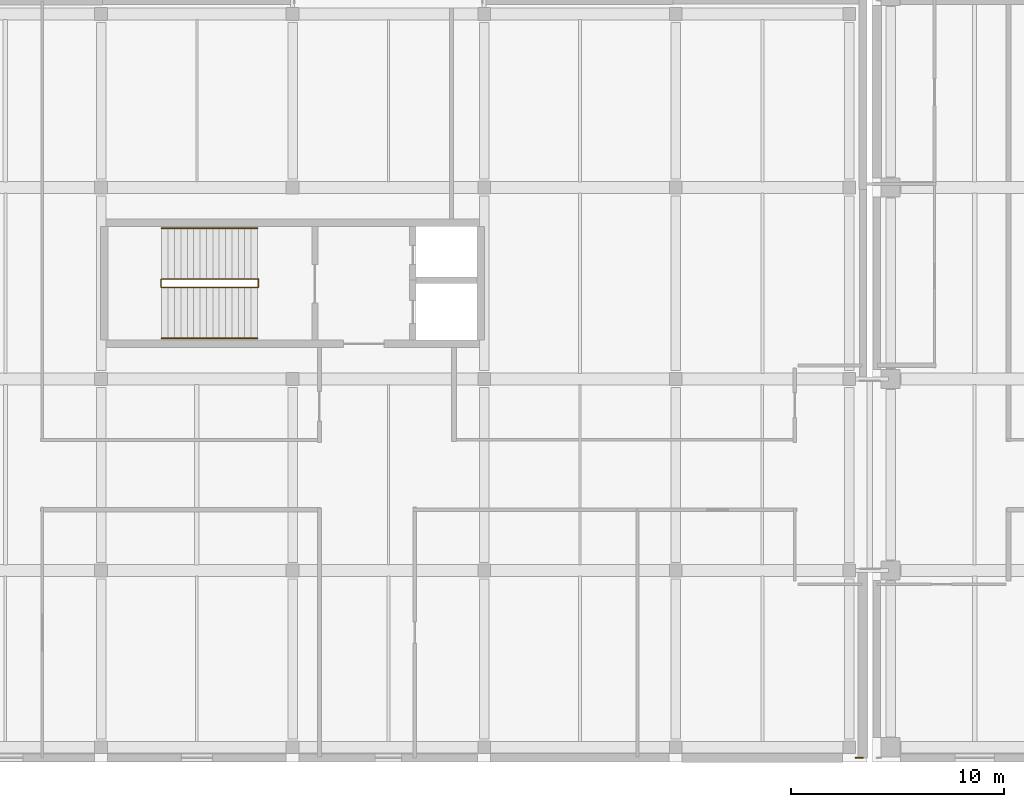
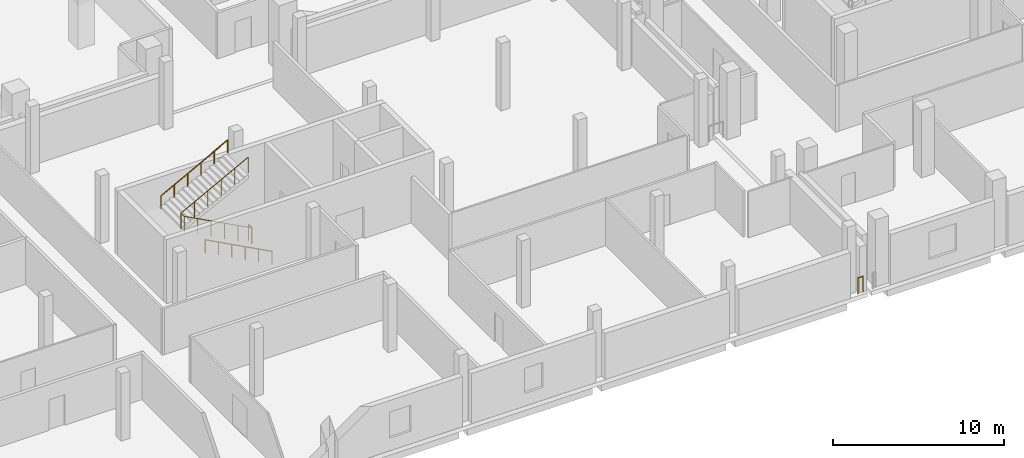
# One storey, part 75 of 100: 5 railings.
"""IFC4 building model written with IfcOpenShell, lengths in metres."""

from ifc_helpers import new_model, si_unit, direction, frame, origin, origin_2d, place, context, subcontext, project, spatial, circle, extrude, material, type_object, element, save


model = new_model("IFC4")

# Units and contexts
model_context = context("Model", 3, precision=1e-05, world=origin(), true_north=direction((0.0, 1.0)))
body_context = subcontext(model_context, "Body", "Model", "MODEL_VIEW")
ifc_project = project(units=[si_unit("LENGTHUNIT", "METRE"), si_unit("AREAUNIT", "SQUARE_METRE"), si_unit("VOLUMEUNIT", "CUBIC_METRE"), si_unit("PLANEANGLEUNIT", "RADIAN"), si_unit("MASSUNIT", "GRAM", prefix="KILO"), si_unit("THERMODYNAMICTEMPERATUREUNIT", "KELVIN"), si_unit("POWERUNIT", "WATT")], contexts=[model_context])

# Site, building, storey
site_placement = place(None, origin())
site = spatial("IfcSite", under=ifc_project, at=site_placement, CompositionType="ELEMENT")
building_placement = place(site_placement, origin())
building = spatial("IfcBuilding", under=site, at=building_placement, Name="Sindhuravela Promenade Stadium", CompositionType="ELEMENT")
storey_placement = place(building_placement, frame((0.0, 0.0, 4.800048828125)))
storey = spatial("IfcBuildingStorey", under=building, at=storey_placement, Name="L01", CompositionType="ELEMENT", Elevation=4.800048828125)

# Railings
ifc_material = material(Name="Architectural wrought steel E350", Category="steel")
railing_type_1 = type_object("IfcRailingType", Name="RL-GRD-1150", PredefinedType="GUARDRAIL", material=ifc_material)
railing_1_placement = place(storey_placement, frame((53.800048828125, 0.199951171875, 0.0)))
element("IfcRailing", 1, at=railing_1_placement, inside=storey, type_object=railing_type_1, Name="Perimeter edge return guard Pavilion SW L01", PredefinedType="GUARDRAIL", context=body_context, shape_type="SweptSolid", body=[
    extrude(circle(Radius=0.02392578125, at=origin_2d()), frame((0.0, 0.0, 1.1259765625), z_axis=(-1.0, 0.0, 0.0), x_axis=(0.0, -1.0, 0.0)), (0.0, 0.0, 1.0), 0.344970703125),
    extrude(circle(Radius=0.02099609375, at=origin_2d()), origin(), (0.0, 0.0, 1.0), 1.101806640625),
    extrude(circle(Radius=0.02099609375, at=origin_2d()), frame((-0.344970703125, 0.0, 0.0)), (0.0, 0.0, 1.0), 1.101806640625),
])
railing_2_placement = place(storey_placement, frame((25.35009765625, 22.31005859375, 0.0)))
element("IfcRailing", 2, at=railing_2_placement, inside=storey, type_object=railing_type_1, Name="Stair GS01 inner well guard (L01)", PredefinedType="GUARDRAIL", context=body_context, shape_type="SweptSolid", body=[
    extrude(circle(Radius=0.02392578125, at=origin_2d()), frame((0.0, 0.0, 1.1259765625), z_axis=(-0.8836546633431795, 0.0, 0.46813933390802775), x_axis=(0.0, -1.0, 0.0)), (0.0, 0.0, 1.0), 5.12646484375),
    extrude(circle(Radius=0.02392578125, at=origin_2d()), frame((-4.530029296875, 0.0, 3.52587890625), z_axis=(0.0, 1.0, 0.0), x_axis=(-1.0, 0.0, 0.0)), (0.0, 0.0, 1.0), 0.3798828125),
    extrude(circle(Radius=0.02392578125, at=origin_2d()), frame((-4.530029296875, 0.3798828125, 3.52587890625), z_axis=(0.8836349624059475, 0.0, 0.46817651928929505), x_axis=(0.0, 1.0, 0.0)), (0.0, 0.0, 1.0), 5.12646484375),
    extrude(circle(Radius=0.02099609375, at=origin_2d()), origin(), (0.0, 0.0, 1.0), 1.101806640625),
    extrude(circle(Radius=0.02099609375, at=origin_2d()), frame((-0.906005859375, 0.0, 0.47998046875)), (0.0, 0.0, 1.0), 1.101806640625),
    extrude(circle(Radius=0.02099609375, at=origin_2d()), frame((-1.81201171875, 0.0, 0.9599609375)), (0.0, 0.0, 1.0), 1.101806640625),
    extrude(circle(Radius=0.02099609375, at=origin_2d()), frame((-2.718017578125, 0.0, 1.43994140625)), (0.0, 0.0, 1.0), 1.101806640625),
    extrude(circle(Radius=0.02099609375, at=origin_2d()), frame((-3.6240234375, 0.0, 1.919921875)), (0.0, 0.0, 1.0), 1.101806640625),
    extrude(circle(Radius=0.02099609375, at=origin_2d()), frame((-4.530029296875, 0.0, 2.39990234375)), (0.0, 0.0, 1.0), 1.101806640625),
    extrude(circle(Radius=0.02099609375, at=origin_2d()), frame((-4.530029296875, 0.3798828125, 2.39990234375)), (0.0, 0.0, 1.0), 1.101806640625),
    extrude(circle(Radius=0.02099609375, at=origin_2d()), frame((-3.6240234375, 0.3798828125, 2.8798828125)), (0.0, 0.0, 1.0), 1.101806640625),
    extrude(circle(Radius=0.02099609375, at=origin_2d()), frame((-2.718017578125, 0.3798828125, 3.35986328125)), (0.0, 0.0, 1.0), 1.101806640625),
    extrude(circle(Radius=0.02099609375, at=origin_2d()), frame((-1.81201171875, 0.3798828125, 3.840087890625)), (0.0, 0.0, 1.0), 1.101806640625),
    extrude(circle(Radius=0.02099609375, at=origin_2d()), frame((-0.906005859375, 0.3798828125, 4.320068359375)), (0.0, 0.0, 1.0), 1.101806640625),
    extrude(circle(Radius=0.02099609375, at=origin_2d()), frame((0.0, 0.3798828125, 4.800048828125)), (0.0, 0.0, 1.0), 1.101806640625),
])
railing_3_placement = place(storey_placement, frame((25.3798828125, 22.31005859375, 0.0)))
element("IfcRailing", 3, at=railing_3_placement, inside=storey, type_object=railing_type_1, Name="Stair GS01 landing well slot guard (L01)", PredefinedType="GUARDRAIL", context=body_context, shape_type="SweptSolid", body=[
    extrude(circle(Radius=0.02392578125, at=origin_2d()), frame((0.0, 0.0, 1.1259765625), z_axis=(0.0, 1.0, 0.0), x_axis=(-1.0, 0.0, 0.0)), (0.0, 0.0, 1.0), 0.3798828125),
    extrude(circle(Radius=0.02099609375, at=origin_2d()), origin(), (0.0, 0.0, 1.0), 1.101806640625),
    extrude(circle(Radius=0.02099609375, at=origin_2d()), frame((0.0, 0.3798828125, 0.0)), (0.0, 0.0, 1.0), 1.101806640625),
])
railing_type_2 = type_object("IfcRailingType", Name="RL-HND-920", PredefinedType="HANDRAIL", material=ifc_material)
railing_4_placement = place(storey_placement, frame((25.35009765625, 19.919921875, 0.0)))
element("IfcRailing", 4, at=railing_4_placement, inside=storey, type_object=railing_type_2, Name="Stair GS01 lower wall handrail (L01)", PredefinedType="HANDRAIL", context=body_context, shape_type="SweptSolid", body=[
    extrude(circle(Radius=0.02392578125, at=origin_2d()), frame((0.0, 0.0, 0.89599609375), z_axis=(-0.8823608919668723, 0.0, 0.4705733272588083), x_axis=(0.0, -1.0, 0.0)), (0.0, 0.0, 1.0), 5.099853515625),
    extrude(circle(Radius=0.02099609375, at=origin_2d()), origin(), (0.0, 0.0, 1.0), 0.871826171875),
    extrude(circle(Radius=0.02099609375, at=origin_2d()), frame((-0.89990234375, 0.0, 0.47998046875)), (0.0, 0.0, 1.0), 0.871826171875),
    extrude(circle(Radius=0.02099609375, at=origin_2d()), frame((-1.800048828125, 0.0, 0.9599609375)), (0.0, 0.0, 1.0), 0.871826171875),
    extrude(circle(Radius=0.02099609375, at=origin_2d()), frame((-2.699951171875, 0.0, 1.43994140625)), (0.0, 0.0, 1.0), 0.871826171875),
    extrude(circle(Radius=0.02099609375, at=origin_2d()), frame((-3.60009765625, 0.0, 1.919921875)), (0.0, 0.0, 1.0), 0.871826171875),
    extrude(circle(Radius=0.02099609375, at=origin_2d()), frame((-4.5, 0.0, 2.39990234375)), (0.0, 0.0, 1.0), 0.871826171875),
])
railing_5_placement = place(storey_placement, frame((20.85009765625, 25.080078125, 2.39990234375)))
element("IfcRailing", 5, at=railing_5_placement, inside=storey, type_object=railing_type_2, Name="Stair GS01 upper wall handrail (L01)", PredefinedType="HANDRAIL", context=body_context, shape_type="SweptSolid", body=[
    extrude(circle(Radius=0.02392578125, at=origin_2d()), frame((0.0, 0.0, 0.89599609375), z_axis=(0.8823410147872734, 0.0, 0.47061059659145427), x_axis=(0.0, 1.0, 0.0)), (0.0, 0.0, 1.0), 5.10009765625),
    extrude(circle(Radius=0.02099609375, at=origin_2d()), origin(), (0.0, 0.0, 1.0), 0.871826171875),
    extrude(circle(Radius=0.02099609375, at=origin_2d()), frame((0.89990234375, 0.0, 0.47998046875)), (0.0, 0.0, 1.0), 0.871826171875),
    extrude(circle(Radius=0.02099609375, at=origin_2d()), frame((1.800048828125, 0.0, 0.9599609375)), (0.0, 0.0, 1.0), 0.871826171875),
    extrude(circle(Radius=0.02099609375, at=origin_2d()), frame((2.699951171875, 0.0, 1.440185546875)), (0.0, 0.0, 1.0), 0.871826171875),
    extrude(circle(Radius=0.02099609375, at=origin_2d()), frame((3.60009765625, 0.0, 1.920166015625)), (0.0, 0.0, 1.0), 0.871826171875),
    extrude(circle(Radius=0.02099609375, at=origin_2d()), frame((4.5, 0.0, 2.400146484375)), (0.0, 0.0, 1.0), 0.871826171875),
])

save(model, "model.ifc")
